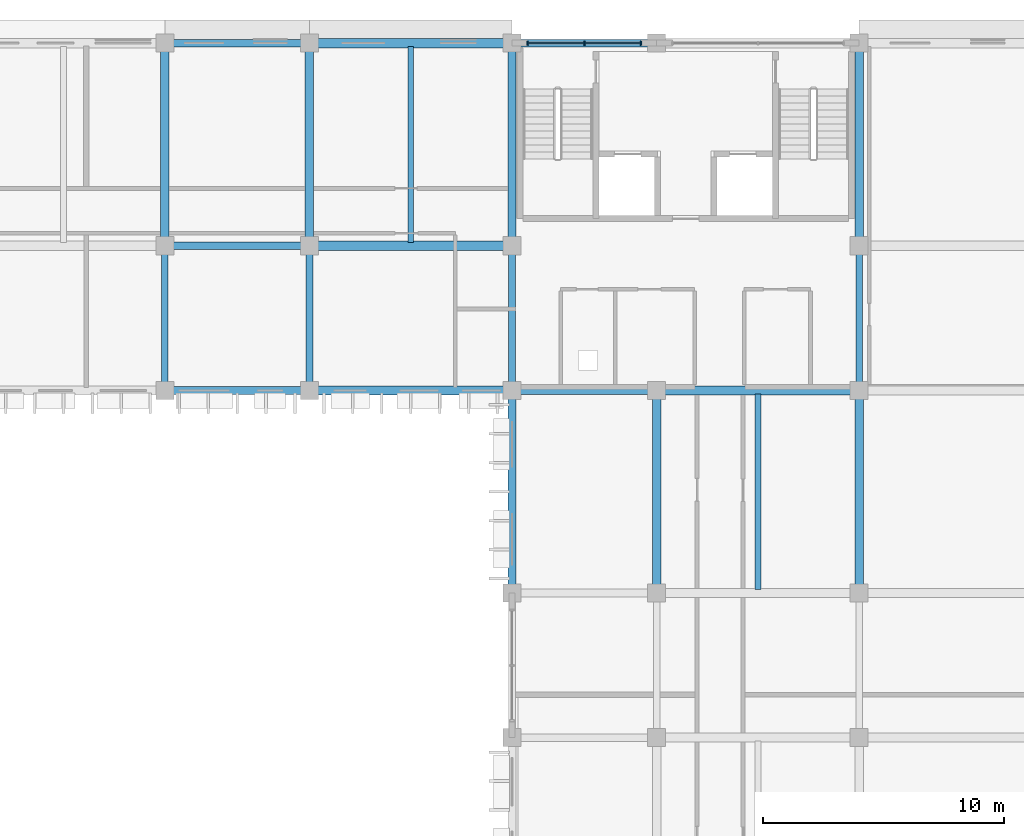
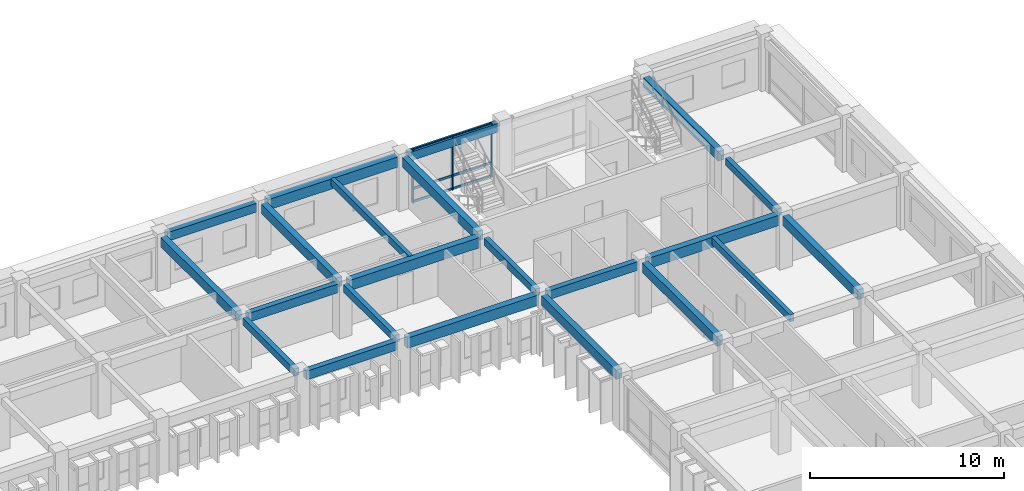
# One storey, part 40 of 88: 22 beams, 6 members, 1 element without a shape of its own.
"""IFC4 building model written with IfcOpenShell, lengths in metres."""

from ifc_helpers import new_model, si_unit, direction, frame, origin, origin_2d, place, context, subcontext, project, spatial, rectangle, extrude, material, material_profile, profile_set, type_object, element, aggregate, save


model = new_model("IFC4")

# Units and contexts
model_context = context("Model", 3, precision=1e-05, world=origin(), true_north=direction((0.0, 1.0)))
body_context = subcontext(model_context, "Body", "Model", "MODEL_VIEW")
ifc_project = project(units=[si_unit("LENGTHUNIT", "METRE"), si_unit("AREAUNIT", "SQUARE_METRE"), si_unit("VOLUMEUNIT", "CUBIC_METRE"), si_unit("PLANEANGLEUNIT", "RADIAN"), si_unit("MASSUNIT", "GRAM", prefix="KILO"), si_unit("THERMODYNAMICTEMPERATUREUNIT", "KELVIN")], contexts=[model_context])

# Site, building, storey
site_placement = place(None, origin())
site = spatial("IfcSite", under=ifc_project, at=site_placement, CompositionType="ELEMENT")
building_placement = place(site_placement, origin())
building = spatial("IfcBuilding", under=site, at=building_placement, Name="Thalorik Housing Commons", CompositionType="ELEMENT")
storey_placement = place(building_placement, frame((0.0, 0.0, 4.5)))
storey = spatial("IfcBuildingStorey", under=building, at=storey_placement, Name="L01", CompositionType="ELEMENT", Elevation=4.5)

# Curtain wall, members
ifc_material_1 = material(Name="Anodised aluminium and solar-control low-E glass", Category="aluminium")
curtain_wall_type = type_object("IfcCurtainWallType", Name="ARC-CW-CORE", PredefinedType="USERDEFINED", material=ifc_material_1)
curtain_wall_placement = place(storey_placement, origin())
curtain_wall = element("IfcCurtainWall", 1, at=curtain_wall_placement, inside=storey, type_object=curtain_wall_type, Name="L01 Curtain Wall CW-CORE-L01-B-073", ObjectType="CURTAIN WALL", PredefinedType="USERDEFINED")
ifc_material_2 = material(Name="Anodised aluminium 6063-T6", Category="aluminium")
ifc_material_profile_1 = material_profile(ifc_material_2, rectangle(XDim=0.06494140625, YDim=0.179931640625, at=origin_2d()), Name="ALU MUL 65x180", Category="aluminium")
ifc_profile_set_1 = profile_set([ifc_material_profile_1], Name="Anodised aluminium 6063-T6")
member_type_1 = type_object("IfcMemberType", Name="ARC-CW-MUL-65x180", PredefinedType="MULLION", material=ifc_profile_set_1)
member_1_placement = place(storey_placement, frame((157.75, 123.60009765625, 0.0), z_axis=(0.0, 0.0, 1.0), x_axis=(-1.0, 0.0, 0.0)))
member_1 = element("IfcMember", 2, at=member_1_placement, type_object=member_type_1, Name="CW-CORE-L01-B-073 Mullion 1", PredefinedType="MULLION", context=body_context, shape_type="SweptSolid", body=[
    extrude(rectangle(XDim=0.06494140625, YDim=0.179931640625, at=origin_2d()), origin(), (0.0, 0.0, 1.0), 3.340087890625),
])
member_2_placement = place(storey_placement, frame((155.39990234375, 123.60009765625, 0.0), z_axis=(0.0, 0.0, 1.0), x_axis=(-1.0, 0.0, 0.0)))
member_2 = element("IfcMember", 3, at=member_2_placement, type_object=member_type_1, Name="CW-CORE-L01-B-073 Mullion 2", PredefinedType="MULLION", context=body_context, shape_type="SweptSolid", body=[
    extrude(rectangle(XDim=0.06494140625, YDim=0.179931640625, at=origin_2d()), origin(), (0.0, 0.0, 1.0), 3.340087890625),
])
member_3_placement = place(storey_placement, frame((153.050048828125, 123.60009765625, 0.0), z_axis=(0.0, 0.0, 1.0), x_axis=(-1.0, 0.0, 0.0)))
member_3 = element("IfcMember", 4, at=member_3_placement, type_object=member_type_1, Name="CW-CORE-L01-B-073 Mullion 3", PredefinedType="MULLION", context=body_context, shape_type="SweptSolid", body=[
    extrude(rectangle(XDim=0.06494140625, YDim=0.179931640625, at=origin_2d()), origin(), (0.0, 0.0, 1.0), 3.340087890625),
])
ifc_material_profile_2 = material_profile(ifc_material_2, rectangle(XDim=0.06494140625, YDim=0.14990234375, at=origin_2d()), Name="ALU TRN 65x150", Category="aluminium")
ifc_profile_set_2 = profile_set([ifc_material_profile_2], Name="Anodised aluminium 6063-T6")
member_type_2 = type_object("IfcMemberType", Name="ARC-CW-TRN-65x150", PredefinedType="USERDEFINED", material=ifc_profile_set_2)
member_4_placement = place(storey_placement, frame((157.75, 123.60009765625, 0.054931640625), z_axis=(-1.0, 0.0, 0.0), x_axis=(0.0, -1.0, 0.0)))
member_4 = element("IfcMember", 5, at=member_4_placement, type_object=member_type_2, Name="CW-CORE-L01-B-073 Transom 1", ObjectType="TRANSOM", PredefinedType="USERDEFINED", context=body_context, shape_type="SweptSolid", body=[
    extrude(rectangle(XDim=0.06494140625, YDim=0.14990234375, at=origin_2d()), origin(), (0.0, 0.0, 1.0), 4.699951171875),
])
member_5_placement = place(storey_placement, frame((157.75, 123.60009765625, 0.8798828125), z_axis=(-1.0, 0.0, 0.0), x_axis=(0.0, -1.0, 0.0)))
member_5 = element("IfcMember", 6, at=member_5_placement, type_object=member_type_2, Name="CW-CORE-L01-B-073 Transom 2", ObjectType="TRANSOM", PredefinedType="USERDEFINED", context=body_context, shape_type="SweptSolid", body=[
    extrude(rectangle(XDim=0.06494140625, YDim=0.14990234375, at=origin_2d()), origin(), (0.0, 0.0, 1.0), 4.699951171875),
])
member_6_placement = place(storey_placement, frame((157.75, 123.60009765625, 3.284912109375), z_axis=(-1.0, 0.0, 0.0), x_axis=(0.0, -1.0, 0.0)))
member_6 = element("IfcMember", 7, at=member_6_placement, type_object=member_type_2, Name="CW-CORE-L01-B-073 Transom 3", ObjectType="TRANSOM", PredefinedType="USERDEFINED", context=body_context, shape_type="SweptSolid", body=[
    extrude(rectangle(XDim=0.06494140625, YDim=0.14990234375, at=origin_2d()), origin(), (0.0, 0.0, 1.0), 4.699951171875),
])
aggregate(curtain_wall, [member_1, member_2, member_3, member_4, member_5, member_6])

# Beams
ifc_material_3 = material(Name="Precast concrete C40/50", Category="concrete")
ifc_material_profile_3 = material_profile(ifc_material_3, rectangle(XDim=0.280029296875, YDim=0.449951171875, at=origin_2d()), Name="PC 280x450", Category="concrete")
ifc_profile_set_3 = profile_set([ifc_material_profile_3], Name="Precast concrete C40/50")
beam_type_1 = type_object("IfcBeamType", Name="STR-BM-PC280x450", PredefinedType="BEAM", material=ifc_profile_set_3)
for number, where, z_axis, x_axis, name in (
    (8, (138.0, 109.52490234375, 3.114990234375), (0.0, 1.0, 0.0), (-1.0, 0.0, 0.0), "L01 Beam B-450"),
    (9, (144.0, 109.52490234375, 3.114990234375), (0.0, 1.0, 0.0), (-1.0, 0.0, 0.0), "L01 Beam B-450"),
    (10, (152.39990234375, 109.52490234375, 3.114990234375), (0.0, 1.0, 0.0), (-1.0, 0.0, 0.0), "L01 Beam B-450"),
    (11, (166.800048828125, 109.52490234375, 3.114990234375), (0.0, 1.0, 0.0), (-1.0, 0.0, 0.0), "L01 Beam B-450"),
):
    element("IfcBeam", number, at=place(storey_placement, frame(where, z_axis=z_axis, x_axis=x_axis)), inside=storey, type_object=beam_type_1, Name=name, PredefinedType="BEAM", context=body_context, shape_type="SweptSolid", body=[
        extrude(rectangle(XDim=0.280029296875, YDim=0.449951171875, at=origin_2d()), origin(), (0.0, 0.0, 1.0), 5.35009765625),
    ])
ifc_material_profile_4 = material_profile(ifc_material_3, rectangle(XDim=0.320068359375, YDim=0.550048828125, at=origin_2d()), Name="PC 320x550", Category="concrete")
ifc_profile_set_4 = profile_set([ifc_material_profile_4], Name="Precast concrete C40/50")
beam_type_2 = type_object("IfcBeamType", Name="STR-BM-PC320x550", PredefinedType="BEAM", material=ifc_profile_set_4)
beam_1_placement = place(storey_placement, frame((138.324951171875, 109.199951171875, 3.06494140625), z_axis=(1.0, 0.0, 0.0), x_axis=(0.0, 1.0, 0.0)))
element("IfcBeam", 12, at=beam_1_placement, inside=storey, type_object=beam_type_2, Name="L01 Beam B-550", PredefinedType="BEAM", context=body_context, shape_type="SweptSolid", body=[
    extrude(rectangle(XDim=0.320068359375, YDim=0.550048828125, at=origin_2d()), origin(), (0.0, 0.0, 1.0), 5.35009765625),
])
beam_2_placement = place(storey_placement, frame((152.72509765625, 109.199951171875, 3.06494140625), z_axis=(1.0, 0.0, 0.0), x_axis=(0.0, 1.0, 0.0)))
element("IfcBeam", 13, at=beam_2_placement, inside=storey, type_object=beam_type_2, Name="L01 Beam B-550", PredefinedType="BEAM", context=body_context, shape_type="SweptSolid", body=[
    extrude(rectangle(XDim=0.320068359375, YDim=0.550048828125, at=origin_2d()), origin(), (0.0, 0.0, 1.0), 5.349853515625),
])
for number, where, z_axis, x_axis, name in (
    (14, (138.324951171875, 115.199951171875, 3.06494140625), (1.0, 0.0, 0.0), (0.0, 1.0, 0.0), "L01 Beam B-550"),
    (15, (138.324951171875, 123.60009765625, 3.06494140625), (1.0, 0.0, 0.0), (0.0, 1.0, 0.0), "L01 Beam B-550"),
):
    element("IfcBeam", number, at=place(storey_placement, frame(where, z_axis=z_axis, x_axis=x_axis)), inside=storey, type_object=beam_type_2, Name=name, PredefinedType="BEAM", context=body_context, shape_type="SweptSolid", body=[
        extrude(rectangle(XDim=0.320068359375, YDim=0.550048828125, at=origin_2d()), origin(), (0.0, 0.0, 1.0), 5.35009765625),
    ])
beam_3_placement = place(storey_placement, frame((152.72509765625, 123.60009765625, 3.06494140625), z_axis=(1.0, 0.0, 0.0), x_axis=(0.0, 1.0, 0.0)))
element("IfcBeam", 16, at=beam_3_placement, inside=storey, type_object=beam_type_2, Name="L01 Beam B-550", PredefinedType="BEAM", context=body_context, shape_type="SweptSolid", body=[
    extrude(rectangle(XDim=0.320068359375, YDim=0.550048828125, at=origin_2d()), origin(), (0.0, 0.0, 1.0), 5.349853515625),
])
ifc_material_profile_5 = material_profile(ifc_material_3, rectangle(XDim=0.35009765625, YDim=0.60009765625, at=origin_2d()), Name="PC 350x600", Category="concrete")
ifc_profile_set_5 = profile_set([ifc_material_profile_5], Name="Precast concrete C40/50")
beam_type_3 = type_object("IfcBeamType", Name="STR-BM-PC350x600", PredefinedType="BEAM", material=ifc_profile_set_5)
for number, where, z_axis, x_axis, name in (
    (17, (138.0, 115.52490234375, 3.0400390625), (0.0, 1.0, 0.0), (-1.0, 0.0, 0.0), "L01 Beam B-600"),
    (18, (144.0, 115.52490234375, 3.0400390625), (0.0, 1.0, 0.0), (-1.0, 0.0, 0.0), "L01 Beam B-600"),
    (19, (152.39990234375, 101.125, 3.0400390625), (0.0, 1.0, 0.0), (-1.0, 0.0, 0.0), "L01 Beam B-600"),
    (20, (152.39990234375, 115.52490234375, 3.0400390625), (0.0, 1.0, 0.0), (-1.0, 0.0, 0.0), "L01 Beam B-600"),
    (21, (158.39990234375, 101.125, 3.0400390625), (0.0, 1.0, 0.0), (-1.0, 0.0, 0.0), "L01 Beam B-600"),
    (22, (166.800048828125, 101.125, 3.0400390625), (0.0, 1.0, 0.0), (-1.0, 0.0, 0.0), "L01 Beam B-600"),
    (23, (166.800048828125, 115.52490234375, 3.0400390625), (0.0, 1.0, 0.0), (-1.0, 0.0, 0.0), "L01 Beam B-600"),
):
    element("IfcBeam", number, at=place(storey_placement, frame(where, z_axis=z_axis, x_axis=x_axis)), inside=storey, type_object=beam_type_3, Name=name, PredefinedType="BEAM", context=body_context, shape_type="SweptSolid", body=[
        extrude(rectangle(XDim=0.35009765625, YDim=0.60009765625, at=origin_2d()), origin(), (0.0, 0.0, 1.0), 7.75),
    ])
ifc_material_profile_6 = material_profile(ifc_material_3, rectangle(XDim=0.3798828125, YDim=0.64990234375, at=origin_2d()), Name="PC 380x650", Category="concrete")
ifc_profile_set_6 = profile_set([ifc_material_profile_6], Name="Precast concrete C40/50")
beam_type_4 = type_object("IfcBeamType", Name="STR-BM-PC380x650", PredefinedType="BEAM", material=ifc_profile_set_6)
for number, where, z_axis, x_axis, name in (
    (24, (144.324951171875, 109.199951171875, 3.014892578125), (1.0, 0.0, 0.0), (0.0, 1.0, 0.0), "L01 Beam B-650"),
    (25, (158.72509765625, 109.199951171875, 3.014892578125), (1.0, 0.0, 0.0), (0.0, 1.0, 0.0), "L01 Beam B-650"),
    (26, (144.324951171875, 115.199951171875, 3.014892578125), (1.0, 0.0, 0.0), (0.0, 1.0, 0.0), "L01 Beam B-650"),
    (27, (144.324951171875, 123.60009765625, 3.014892578125), (1.0, 0.0, 0.0), (0.0, 1.0, 0.0), "L01 Beam B-650"),
):
    element("IfcBeam", number, at=place(storey_placement, frame(where, z_axis=z_axis, x_axis=x_axis)), inside=storey, type_object=beam_type_4, Name=name, PredefinedType="BEAM", context=body_context, shape_type="SweptSolid", body=[
        extrude(rectangle(XDim=0.3798828125, YDim=0.64990234375, at=origin_2d()), origin(), (0.0, 0.0, 1.0), 7.75),
    ])
ifc_material_profile_7 = material_profile(ifc_material_3, rectangle(XDim=0.239990234375, YDim=0.43994140625, at=origin_2d()), Name="PC JST 240x440", Category="concrete")
ifc_profile_set_7 = profile_set([ifc_material_profile_7], Name="Precast concrete C40/50")
beam_type_5 = type_object("IfcBeamType", Name="STR-JST-PC240x440", PredefinedType="JOIST", material=ifc_profile_set_7)
beam_4_placement = place(storey_placement, frame((162.60009765625, 100.93994140625, 3.1201171875), z_axis=(0.0, 1.0, 0.0), x_axis=(-1.0, 0.0, 0.0)))
element("IfcBeam", 28, at=beam_4_placement, inside=storey, type_object=beam_type_5, Name="L01 Beam J-440", PredefinedType="JOIST", context=body_context, shape_type="SweptSolid", body=[
    extrude(rectangle(XDim=0.239990234375, YDim=0.43994140625, at=origin_2d()), origin(), (0.0, 0.0, 1.0), 8.1201171875),
])
beam_5_placement = place(storey_placement, frame((148.199951171875, 115.340087890625, 3.1201171875), z_axis=(0.0, 1.0, 0.0), x_axis=(-1.0, 0.0, 0.0)))
element("IfcBeam", 29, at=beam_5_placement, inside=storey, type_object=beam_type_5, Name="L01 Beam J-440", PredefinedType="JOIST", context=body_context, shape_type="SweptSolid", body=[
    extrude(rectangle(XDim=0.239990234375, YDim=0.43994140625, at=origin_2d()), origin(), (0.0, 0.0, 1.0), 8.119873046875),
])

save(model, "model.ifc")
